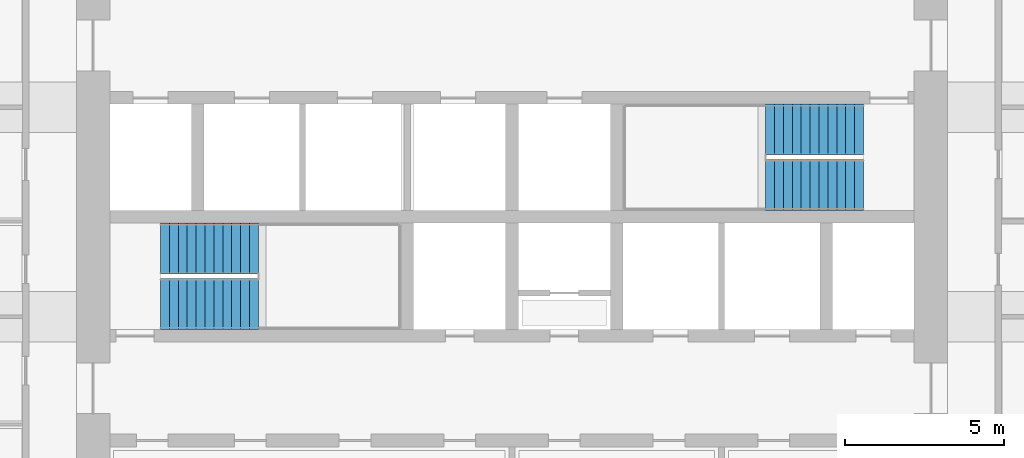
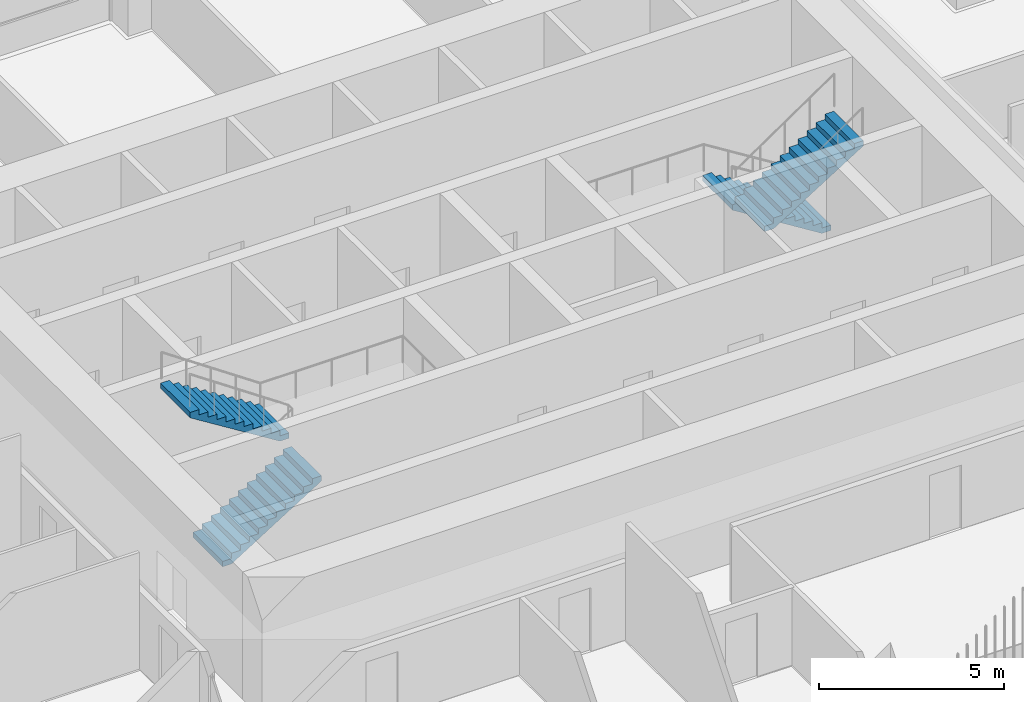
# One storey, part 15 of 20: 4 stair flights, 2 elements without a shape of their own.
"""IFC4 building model written with IfcOpenShell, lengths in metres."""

from ifc_helpers import new_model, si_unit, direction, frame, origin, place, context, subcontext, project, spatial, polyline, outline, extrude, material, type_object, element, aggregate, save


model = new_model("IFC4")

# Units and contexts
model_context = context("Model", 3, precision=1e-05, world=origin(), true_north=direction((0.0, 1.0)))
body_context = subcontext(model_context, "Body", "Model", "MODEL_VIEW")
ifc_project = project(units=[si_unit("LENGTHUNIT", "METRE"), si_unit("AREAUNIT", "SQUARE_METRE"), si_unit("VOLUMEUNIT", "CUBIC_METRE"), si_unit("PLANEANGLEUNIT", "RADIAN"), si_unit("MASSUNIT", "GRAM", prefix="KILO")], contexts=[model_context])

# Site, building, storey
site_placement = place(None, origin())
site = spatial("IfcSite", under=ifc_project, at=site_placement, CompositionType="ELEMENT")
building_placement = place(site_placement, origin())
building = spatial("IfcBuilding", under=site, at=building_placement, Name="Cobogo Forest Laboratory Tower", CompositionType="ELEMENT")
storey_placement = place(building_placement, frame((0.0, 0.0, 218.699951171875)))
storey = spatial("IfcBuildingStorey", under=building, at=storey_placement, Name="L50", CompositionType="ELEMENT", Elevation=218.699951171875)

# Stair, stair flights
ifc_material = material(Name="Precast concrete HA-40 (C40/50)", Category="concrete")
stair_type = type_object("IfcStairType", Name="ST24 exit stair 24 risers", PredefinedType="HALF_TURN_STAIR", material=ifc_material)
stair_1_placement = place(storey_placement, origin())
stair_1 = element("IfcStair", 1, at=stair_1_placement, inside=storey, type_object=stair_type, Name="Stair 1 L50 to L51", PredefinedType="HALF_TURN_STAIR")
stair_flight_type = type_object("IfcStairFlightType", Name="ST stair flight 280 going", PredefinedType="STRAIGHT", material=ifc_material)
stair_flight_1_placement = place(storey_placement, frame((15.324951171875, 20.199951171875, 0.0), z_axis=(0.0, 0.0, 1.0), x_axis=(1.0, 0.0, 0.0)))
stair_flight_1 = element("IfcStairFlight", 2, at=stair_flight_1_placement, type_object=stair_flight_type, Name="ST1 flight 1", NumberOfRisers=12, NumberOfTreads=11, PredefinedType="STRAIGHT", RiserHeight=0.175, TreadLength=0.28, context=body_context, shape_type="SweptSolid", body=[
    extrude(outline(polyline([(0.0, 0.0), (0.0, 0.175048828125), (0.280029296875, 0.175048828125), (0.280029296875, 0.35009765625), (0.56005859375, 0.35009765625), (0.56005859375, 0.52490234375), (0.840087890625, 0.52490234375), (0.840087890625, 0.699951171875), (1.1201171875, 0.699951171875), (1.1201171875, 0.875), (1.39990234375, 0.875), (1.39990234375, 1.050048828125), (1.679931640625, 1.050048828125), (1.679931640625, 1.22509765625), (1.9599609375, 1.22509765625), (1.9599609375, 1.39990234375), (2.239990234375, 1.39990234375), (2.239990234375, 1.574951171875), (2.52001953125, 1.574951171875), (2.52001953125, 1.75), (2.800048828125, 1.75), (2.800048828125, 1.925048828125), (3.080078125, 1.925048828125), (3.080078125, 2.10009765625), (3.080078125, 1.748291015625), (0.28271484375, 0.0), (0.0, 0.0)])), frame((0.0, 0.800048828125, 0.0), z_axis=(0.0, -1.0, 0.0), x_axis=(1.0, 0.0, 0.0)), (0.0, 0.0, 1.0), 1.60009765625),
])
stair_flight_2_placement = place(storey_placement, frame((18.405029296875, 21.949951171875, 2.10009765625), z_axis=(0.0, 0.0, 1.0), x_axis=(-1.0, 0.0, 0.0)))
stair_flight_2 = element("IfcStairFlight", 3, at=stair_flight_2_placement, type_object=stair_flight_type, Name="ST1 flight 2", NumberOfRisers=12, NumberOfTreads=11, PredefinedType="STRAIGHT", RiserHeight=0.175, TreadLength=0.28, context=body_context, shape_type="SweptSolid", body=[
    extrude(outline(polyline([(0.0, 0.0), (0.0, 0.175048828125), (0.280029296875, 0.175048828125), (0.280029296875, 0.35009765625), (0.56005859375, 0.35009765625), (0.56005859375, 0.52490234375), (0.840087890625, 0.52490234375), (0.840087890625, 0.699951171875), (1.1201171875, 0.699951171875), (1.1201171875, 0.875), (1.39990234375, 0.875), (1.39990234375, 1.050048828125), (1.679931640625, 1.050048828125), (1.679931640625, 1.22509765625), (1.9599609375, 1.22509765625), (1.9599609375, 1.39990234375), (2.239990234375, 1.39990234375), (2.239990234375, 1.574951171875), (2.52001953125, 1.574951171875), (2.52001953125, 1.75), (2.800048828125, 1.75), (2.800048828125, 1.925048828125), (3.080078125, 1.925048828125), (3.080078125, 2.10009765625), (3.080078125, 1.748291015625), (0.28271484375, 0.0), (0.0, 0.0)])), frame((0.0, 0.800048828125, 0.0), z_axis=(0.0, -1.0, 0.0), x_axis=(1.0, 0.0, 0.0)), (0.0, 0.0, 1.0), 1.60009765625),
])
aggregate(stair_1, [stair_flight_1, stair_flight_2])

stair_2_placement = place(storey_placement, origin())
stair_2 = element("IfcStair", 4, at=stair_2_placement, inside=storey, type_object=stair_type, Name="Stair 2 L50 to L51", PredefinedType="HALF_TURN_STAIR")
stair_flight_3_placement = place(storey_placement, frame((37.47509765625, 25.699951171875, 0.0), z_axis=(0.0, 0.0, 1.0), x_axis=(-1.0, 0.0, 0.0)))
stair_flight_3 = element("IfcStairFlight", 5, at=stair_flight_3_placement, type_object=stair_flight_type, Name="ST2 flight 1", NumberOfRisers=12, NumberOfTreads=11, PredefinedType="STRAIGHT", RiserHeight=0.175, TreadLength=0.28, context=body_context, shape_type="SweptSolid", body=[
    extrude(outline(polyline([(0.0, 0.0), (0.0, 0.175048828125), (0.280029296875, 0.175048828125), (0.280029296875, 0.35009765625), (0.56005859375, 0.35009765625), (0.56005859375, 0.52490234375), (0.840087890625, 0.52490234375), (0.840087890625, 0.699951171875), (1.1201171875, 0.699951171875), (1.1201171875, 0.875), (1.39990234375, 0.875), (1.39990234375, 1.050048828125), (1.679931640625, 1.050048828125), (1.679931640625, 1.22509765625), (1.9599609375, 1.22509765625), (1.9599609375, 1.39990234375), (2.239990234375, 1.39990234375), (2.239990234375, 1.574951171875), (2.52001953125, 1.574951171875), (2.52001953125, 1.75), (2.800048828125, 1.75), (2.800048828125, 1.925048828125), (3.080078125, 1.925048828125), (3.080078125, 2.10009765625), (3.080078125, 1.748291015625), (0.28271484375, 0.0), (0.0, 0.0)])), frame((0.0, 0.800048828125, 0.0), z_axis=(0.0, -1.0, 0.0), x_axis=(1.0, 0.0, 0.0)), (0.0, 0.0, 1.0), 1.60009765625),
])
stair_flight_4_placement = place(storey_placement, frame((34.39501953125, 23.949951171875, 2.10009765625), z_axis=(0.0, 0.0, 1.0), x_axis=(1.0, 0.0, 0.0)))
stair_flight_4 = element("IfcStairFlight", 6, at=stair_flight_4_placement, type_object=stair_flight_type, Name="ST2 flight 2", NumberOfRisers=12, NumberOfTreads=11, PredefinedType="STRAIGHT", RiserHeight=0.175, TreadLength=0.28, context=body_context, shape_type="SweptSolid", body=[
    extrude(outline(polyline([(0.0, 0.0), (0.0, 0.175048828125), (0.280029296875, 0.175048828125), (0.280029296875, 0.35009765625), (0.56005859375, 0.35009765625), (0.56005859375, 0.52490234375), (0.840087890625, 0.52490234375), (0.840087890625, 0.699951171875), (1.1201171875, 0.699951171875), (1.1201171875, 0.875), (1.39990234375, 0.875), (1.39990234375, 1.050048828125), (1.679931640625, 1.050048828125), (1.679931640625, 1.22509765625), (1.9599609375, 1.22509765625), (1.9599609375, 1.39990234375), (2.239990234375, 1.39990234375), (2.239990234375, 1.574951171875), (2.52001953125, 1.574951171875), (2.52001953125, 1.75), (2.800048828125, 1.75), (2.800048828125, 1.925048828125), (3.080078125, 1.925048828125), (3.080078125, 2.10009765625), (3.080078125, 1.748291015625), (0.28271484375, 0.0), (0.0, 0.0)])), frame((0.0, 0.800048828125, 0.0), z_axis=(0.0, -1.0, 0.0), x_axis=(1.0, 0.0, 0.0)), (0.0, 0.0, 1.0), 1.60009765625),
])
aggregate(stair_2, [stair_flight_3, stair_flight_4])

save(model, "model.ifc")
